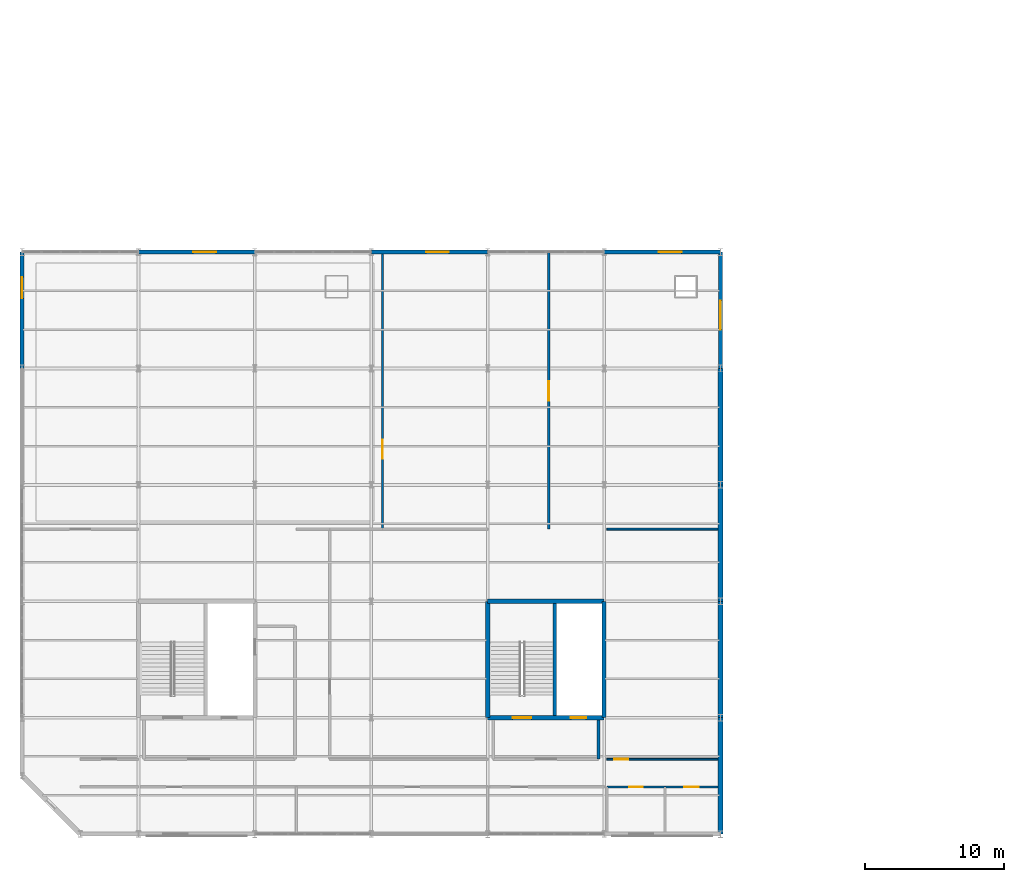
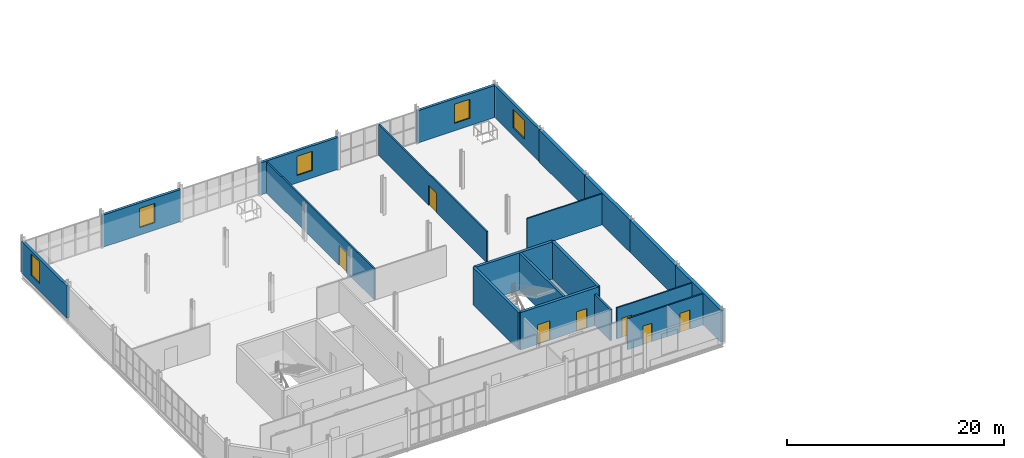
# One storey, part 49 of 65: 21 walls, 7 doors, 5 windows, 12 openings.
"""IFC4 building model written with IfcOpenShell, lengths in metres."""

import ifcopenshell
import ifcopenshell.guid

model = None  # the IFC model being written
_history = None  # IfcOwnerHistory: only IFC2X3 demands one
_inside = {}  # id of a spatial element -> (the spatial element, [elements in it])
_under = {}  # id of a project, library or spatial element -> (it, [spatial elements below it])
_declared = {}  # id of a project -> (the project, [libraries it declares])
_typed = {}  # id of a type object -> (the type object, [elements of that type])
_made_of = {}  # id of a material, layer set ... -> (it, [elements and type objects made of it])


def new_model(schema):
    """Start an empty IFC model of exactly this schema.

    Asked for "IFC4X3", IfcOpenShell would pick the latest addendum, in which some entities
    have other attributes; the version numbers below select the first issue.
    IFC2X3 requires an IfcOwnerHistory on every rooted entity: one is made here for all.
    """
    global model, _history
    if schema == "IFC4X3":
        model = ifcopenshell.file(schema_version=(4, 3, 0, 0))
    else:
        model = ifcopenshell.file(schema=schema)
    _inside.clear()
    _under.clear()
    _declared.clear()
    _typed.clear()
    _made_of.clear()
    _history = None
    if model.schema == "IFC2X3":
        org = make("IfcOrganization", Name="unknown")
        user = make(
            "IfcPersonAndOrganization",
            ThePerson=make("IfcPerson", FamilyName="unknown"),
            TheOrganization=org,
        )
        app = make(
            "IfcApplication",
            ApplicationDeveloper=org,
            Version="unknown",
            ApplicationFullName="unknown",
            ApplicationIdentifier="unknown",
        )
        _history = make(
            "IfcOwnerHistory",
            OwningUser=user,
            OwningApplication=app,
            ChangeAction="ADDED",
            CreationDate=0,
        )
    return model


def make(cls, **values):
    """One entity of the class cls with the attributes given. An attribute that is None is left unset."""
    return model.create_entity(
        cls, **{name: value for name, value in values.items() if value is not None}
    )


def rooted(cls, **values):
    """An entity with a GlobalId (a new one), such as an element, a storey or a relation."""
    return make(cls, GlobalId=ifcopenshell.guid.new(), OwnerHistory=_history, **values)


def si_unit(unit_type, name, prefix=None):
    """IfcSIUnit, for example si_unit("LENGTHUNIT", "METRE", prefix="MILLI")."""
    return make("IfcSIUnit", UnitType=unit_type, Prefix=prefix, Name=name)


def assignment(units):
    """IfcUnitAssignment: the units of a project."""
    return None if units is None else make("IfcUnitAssignment", Units=units)


def point(xyz):
    """IfcCartesianPoint."""
    return None if xyz is None else make("IfcCartesianPoint", Coordinates=xyz)


def direction(xyz):
    """IfcDirection."""
    return None if xyz is None else make("IfcDirection", DirectionRatios=xyz)


def frame(location, z_axis=None, x_axis=None):
    """IfcAxis2Placement3D, a coordinate frame: its origin and axes. An axis left out is left unset."""
    return make(
        "IfcAxis2Placement3D",
        Location=point(location),
        Axis=direction(z_axis),
        RefDirection=direction(x_axis),
    )


def frame_2d(location, x_axis=None):
    """IfcAxis2Placement2D, a coordinate frame in the plane: its origin and x axis."""
    return make(
        "IfcAxis2Placement2D", Location=point(location), RefDirection=direction(x_axis)
    )


def origin():
    """The frame at (0, 0, 0) with its axes left unset."""
    return frame((0.0, 0.0, 0.0))


def place(relative_to, where):
    """IfcLocalPlacement: puts the frame where relative to a parent placement (None: the world)."""
    return make(
        "IfcLocalPlacement", PlacementRelTo=relative_to, RelativePlacement=where
    )


def context(
    kind, dimensions, precision=None, world=None, true_north=None, identifier=None
):
    """IfcGeometricRepresentationContext, for example the 3D "Model" context."""
    return make(
        "IfcGeometricRepresentationContext",
        ContextIdentifier=identifier,
        ContextType=kind,
        CoordinateSpaceDimension=dimensions,
        Precision=precision,
        WorldCoordinateSystem=world,
        TrueNorth=true_north,
    )


def subcontext(parent, identifier, kind, view, scale=None):
    """IfcGeometricRepresentationSubContext, for example "Body" below "Model"."""
    return make(
        "IfcGeometricRepresentationSubContext",
        ContextIdentifier=identifier,
        ContextType=kind,
        ParentContext=parent,
        TargetScale=scale,
        TargetView=view,
    )


def project(units=None, contexts=None):
    """IfcProject with its units and contexts."""
    return rooted(
        "IfcProject",
        Name="project",
        RepresentationContexts=contexts,
        UnitsInContext=assignment(units),
    )


def spatial(cls, under=None, at=None, **own):
    """A site, building, storey or space (cls), placed at a placement, below another one or the project."""
    s = rooted(cls, ObjectPlacement=at, **own)
    if under is not None:
        _under.setdefault(under.id(), (under, []))[1].append(s)
    return s


def profile(cls, at=None, kind="AREA", **sizes):
    """A parametric profile (cls). Its sizes go by their IFC names, for example OverallWidth=200.0."""
    return make(cls, ProfileType=kind, Position=at, **sizes)


def rectangle(**sizes):
    """IfcRectangleProfileDef."""
    return profile("IfcRectangleProfileDef", **sizes)


def extrude(swept, where, along, depth):
    """IfcExtrudedAreaSolid: the profile swept, set in the frame where, extruded along a direction by depth."""
    return make(
        "IfcExtrudedAreaSolid",
        SweptArea=swept,
        Position=where,
        ExtrudedDirection=direction(along),
        Depth=depth,
    )


def shape(context_of_items, identifier, shape_type, items):
    """IfcShapeRepresentation: the items that make up one representation, for example the "Body"."""
    return make(
        "IfcShapeRepresentation",
        ContextOfItems=context_of_items,
        RepresentationIdentifier=identifier,
        RepresentationType=shape_type,
        Items=items,
    )


def material(Name=None, Category=None):
    """IfcMaterial."""
    return make("IfcMaterial", Name=Name, Category=Category)


def layer(
    of_material, thickness, ventilated=None, Name=None, Category=None, Priority=None
):
    """IfcMaterialLayer: one layer of a wall or slab, of a material (None: an air gap)."""
    return make(
        "IfcMaterialLayer",
        Material=of_material,
        LayerThickness=thickness,
        IsVentilated=ventilated,
        Name=Name,
        Category=Category,
        Priority=Priority,
    )


def layer_set(layers, Name=None):
    """IfcMaterialLayerSet."""
    return make("IfcMaterialLayerSet", MaterialLayers=layers, LayerSetName=Name)


def made_of(thing, what):
    """Note that an element or type object is made of a material, layer set ...; save() writes the relation."""
    if what is not None:
        _made_of.setdefault(what.id(), (what, []))[1].append(thing)
    return thing


def type_object(cls, material=None, **own):
    """A type object (cls), such as IfcWallType, which elements share."""
    return made_of(rooted(cls, **own), material)


def element(
    cls,
    number,
    at=None,
    inside=None,
    cuts=None,
    type_object=None,
    material=None,
    context=None,
    identifier="Body",
    shape_type=None,
    held_by="IfcProductDefinitionShape",
    body=None,
    shapes=None,
    **own,
):
    """One element of the class cls, such as IfcWall. Its Tag is "e" and its number.

    at: its placement. inside: the storey or other place that contains it. cuts: it is an
    opening in that element (IfcRelVoidsElement). A single representation is given by context,
    identifier, shape_type and body (its items); several are given by shapes. held_by: the class
    of the entity that holds the representations. save() writes the other relations.
    """
    e = rooted(cls, Tag="e%d" % number, ObjectPlacement=at, **own)
    if body is not None:
        shapes = [shape(context, identifier, shape_type, body)]
    if shapes is not None:
        e.Representation = make(held_by, Representations=shapes)
    if inside is not None:
        _inside.setdefault(inside.id(), (inside, []))[1].append(e)
    if cuts is not None:
        rooted(
            "IfcRelVoidsElement", RelatingBuildingElement=cuts, RelatedOpeningElement=e
        )
    if type_object is not None:
        _typed.setdefault(type_object.id(), (type_object, []))[1].append(e)
    return made_of(e, material)


def fill(opening, filler):
    """IfcRelFillsElement: the door or window that sits in an opening."""
    return rooted(
        "IfcRelFillsElement",
        RelatingOpeningElement=opening,
        RelatedBuildingElement=filler,
    )


def aggregate(whole, parts):
    """IfcRelAggregates: a whole, such as a stair, and the parts it consists of."""
    return rooted("IfcRelAggregates", RelatingObject=whole, RelatedObjects=parts)


def save(model, path):
    """Write the relations noted so far, then the file.

    IfcRelAggregates (storeys below a building ...), IfcRelContainedInSpatialStructure (elements
    in a storey), IfcRelDefinesByType, IfcRelAssociatesMaterial and IfcRelDeclares: one each for
    every whole, place, type object, material and project.
    """
    for whole, parts in _under.values():
        aggregate(whole, parts)
    for where, things in _inside.values():
        rooted(
            "IfcRelContainedInSpatialStructure",
            RelatedElements=things,
            RelatingStructure=where,
        )
    for kind, things in _typed.values():
        rooted("IfcRelDefinesByType", RelatedObjects=things, RelatingType=kind)
    for what, things in _made_of.values():
        rooted("IfcRelAssociatesMaterial", RelatedObjects=things, RelatingMaterial=what)
    for by, libraries in _declared.values():
        rooted("IfcRelDeclares", RelatingContext=by, RelatedDefinitions=libraries)
    model.write(path)


model = new_model("IFC4")

# Units and contexts
model_context = context("Model", 3, precision=1e-05, world=origin(), true_north=direction((0.0, 1.0)))
body_context = subcontext(model_context, "Body", "Model", "MODEL_VIEW")
ifc_project = project(units=[si_unit("LENGTHUNIT", "METRE"), si_unit("AREAUNIT", "SQUARE_METRE"), si_unit("VOLUMEUNIT", "CUBIC_METRE"), si_unit("PLANEANGLEUNIT", "RADIAN"), si_unit("MASSUNIT", "GRAM", prefix="KILO")], contexts=[model_context])

# Site, building, storey
site_placement = place(None, origin())
site = spatial("IfcSite", under=ifc_project, at=site_placement, CompositionType="ELEMENT")
building_placement = place(site_placement, origin())
building = spatial("IfcBuilding", under=site, at=building_placement, Name="Qalvenar Corner Mobility Hub", CompositionType="ELEMENT")
storey_placement = place(building_placement, frame((0.0, 0.0, 17.39990234375)))
storey = spatial("IfcBuildingStorey", under=building, at=storey_placement, Name="L04", CompositionType="ELEMENT", Elevation=17.39990234375)

# Wall
ifc_material_1 = material(Name="Concrete C40/50", Category="concrete")
ifc_layer_1 = layer(ifc_material_1, 0.25)
ifc_layer_set_1 = layer_set([ifc_layer_1], Name="Concrete C40/50")
wall_type_1 = type_object("IfcWallType", Name="WL-CORE250", PredefinedType="SHEAR", material=ifc_layer_set_1)
wall_1_placement = place(storey_placement, frame((38.449951171875, 8.550048828125, 0.0), z_axis=(0.0, 0.0, 1.0), x_axis=(0.0, 1.0, 0.0)))
element("IfcWall", 1, at=wall_1_placement, inside=storey, type_object=wall_type_1, Name="Core Divider Wall C2-L04", PredefinedType="SHEAR", context=body_context, shape_type="SweptSolid", body=[
    extrude(rectangle(XDim=8.099853515625, YDim=0.25, at=frame_2d((4.0498046875, 0.0))), origin(), (0.0, 0.0, 1.0), 4.2001953125),
])

# Wall, openings, doors
ifc_layer_2 = layer(ifc_material_1, 0.300048828125)
ifc_layer_set_2 = layer_set([ifc_layer_2], Name="Concrete C40/50")
wall_type_2 = type_object("IfcWallType", Name="WL-CORE300", PredefinedType="SHEAR", material=ifc_layer_set_2)
wall_2_placement = place(storey_placement, frame((33.60009765625, 8.39990234375, 0.0), z_axis=(0.0, 0.0, 1.0), x_axis=(1.0, 0.0, 0.0)))
wall_2 = element("IfcWall", 2, at=wall_2_placement, inside=storey, type_object=wall_type_2, Name="Core Shear Wall C2-L04-S", PredefinedType="SHEAR", context=body_context, shape_type="SweptSolid", body=[
    extrude(rectangle(XDim=8.39990234375, YDim=0.300048828125, at=frame_2d((4.199951171875, 0.0))), origin(), (0.0, 0.0, 1.0), 4.2001953125),
])
opening_1_placement = place(wall_2_placement, frame((1.800048828125, 0.0, 0.0)))
opening_1 = element("IfcOpeningElement", 3, at=opening_1_placement, cuts=wall_2, Name="Opening DR-231", PredefinedType="OPENING", context=body_context, shape_type="SweptSolid", body=[
    extrude(rectangle(XDim=1.35009765625, YDim=2.199951171875, at=frame_2d((0.675048828125, 1.10009765625))), frame((0.0, 0.16015625, 0.0), z_axis=(0.0, -1.0, 0.0), x_axis=(1.0, 0.0, 0.0)), (0.0, 0.0, 1.0), 0.320068359375),
])
opening_2_placement = place(wall_2_placement, frame((6.0, 0.0, 0.0)))
opening_2 = element("IfcOpeningElement", 4, at=opening_2_placement, cuts=wall_2, Name="Opening DR-232", PredefinedType="OPENING", context=body_context, shape_type="SweptSolid", body=[
    extrude(rectangle(XDim=1.10009765625, YDim=2.199951171875, at=frame_2d((0.550048828125, 1.10009765625))), frame((0.0, 0.16015625, 0.0), z_axis=(0.0, -1.0, 0.0), x_axis=(1.0, 0.0, 0.0)), (0.0, 0.0, 1.0), 0.320068359375),
])
ifc_material_2 = material(Name="Stainless Steel Lift Landing Door", Category="steel")
door_type_1 = type_object("IfcDoorType", Name="DR-LIFT-110", OperationType="SLIDING_TO_LEFT", PredefinedType="DOOR", material=ifc_material_2)
door_1_placement = place(opening_2_placement, origin())
door_1 = element("IfcDoor", 5, at=door_1_placement, inside=storey, type_object=door_type_1, Name="DR-232 Lift Landing Door LF2-L04", OperationType="SLIDING_TO_LEFT", OverallHeight=2.199951171875, OverallWidth=1.10009765625, PredefinedType="DOOR", context=body_context, shape_type="SweptSolid", body=[
    extrude(rectangle(XDim=1.10009765625, YDim=2.199951171875, at=frame_2d((0.550048828125, 1.10009765625))), frame((0.0, 0.02490234375, 0.0), z_axis=(0.0, -1.0, 0.0), x_axis=(1.0, 0.0, 0.0)), (0.0, 0.0, 1.0), 0.050048828125),
])
fill(opening_2, door_1)
ifc_material_3 = material(Name="Fire-Rated Steel Stair Door FD90", Category="steel")
door_type_2 = type_object("IfcDoorType", Name="DR-STAIR-135", OperationType="NOTDEFINED", PredefinedType="DOOR", material=ifc_material_3)
door_2_placement = place(opening_1_placement, origin())
door_2 = element("IfcDoor", 6, at=door_2_placement, inside=storey, type_object=door_type_2, Name="DR-231 Stair Fire Door ST2-L04", OperationType="SINGLE_SWING_RIGHT", OverallHeight=2.199951171875, OverallWidth=1.35009765625, PredefinedType="DOOR", context=body_context, shape_type="SweptSolid", body=[
    extrude(rectangle(XDim=1.35009765625, YDim=2.199951171875, at=frame_2d((0.675048828125, 1.10009765625))), frame((0.0, 0.02490234375, 0.0), z_axis=(0.0, -1.0, 0.0), x_axis=(1.0, 0.0, 0.0)), (0.0, 0.0, 1.0), 0.050048828125),
])
fill(opening_1, door_2)

# Walls
wall_3_placement = place(storey_placement, frame((42.0, 8.39990234375, 0.0), z_axis=(0.0, 0.0, 1.0), x_axis=(0.0, 1.0, 0.0)))
element("IfcWall", 7, at=wall_3_placement, inside=storey, type_object=wall_type_2, Name="Core Shear Wall C2-L04-E", PredefinedType="SHEAR", context=body_context, shape_type="SweptSolid", body=[
    extrude(rectangle(XDim=8.400146484375, YDim=0.300048828125, at=frame_2d((4.2001953125, 0.0))), origin(), (0.0, 0.0, 1.0), 4.2001953125),
])
wall_4_placement = place(storey_placement, frame((42.0, 16.800048828125, 0.0), z_axis=(0.0, 0.0, 1.0), x_axis=(-1.0, 0.0, 0.0)))
element("IfcWall", 8, at=wall_4_placement, inside=storey, type_object=wall_type_2, Name="Core Shear Wall C2-L04-N", PredefinedType="SHEAR", context=body_context, shape_type="SweptSolid", body=[
    extrude(rectangle(XDim=8.39990234375, YDim=0.300048828125, at=frame_2d((4.199951171875, 0.0))), origin(), (0.0, 0.0, 1.0), 4.2001953125),
])
wall_5_placement = place(storey_placement, frame((33.60009765625, 16.800048828125, 0.0), z_axis=(0.0, 0.0, 1.0), x_axis=(0.0, -1.0, 0.0)))
element("IfcWall", 9, at=wall_5_placement, inside=storey, type_object=wall_type_2, Name="Core Shear Wall C2-L04-W", PredefinedType="SHEAR", context=body_context, shape_type="SweptSolid", body=[
    extrude(rectangle(XDim=8.400146484375, YDim=0.300048828125, at=frame_2d((4.2001953125, 0.0))), origin(), (0.0, 0.0, 1.0), 4.2001953125),
])

# Wall, opening, window
ifc_material_4 = material(Name="Kashikari Glazed Faience Masonry", Category="masonry")
ifc_layer_3 = layer(ifc_material_4, 0.280029296875)
ifc_layer_set_3 = layer_set([ifc_layer_3], Name="Kashikari Glazed Faience Masonry")
wall_type_3 = type_object("IfcWallType", Name="WL-EXT-FAI280", PredefinedType="STANDARD", material=ifc_layer_set_3)
wall_6_placement = place(storey_placement, frame((0.0, 42.0, 0.0), z_axis=(0.0, 0.0, 1.0), x_axis=(0.0, -1.0, 0.0)))
wall_6 = element("IfcWall", 10, at=wall_6_placement, inside=storey, type_object=wall_type_3, Name="Exterior Facade Wall EW-V3-L04-047", PredefinedType="STANDARD", context=body_context, shape_type="SweptSolid", body=[
    extrude(rectangle(XDim=8.39990234375, YDim=0.280029296875, at=frame_2d((4.199951171875, 0.0))), origin(), (0.0, 0.0, 1.0), 3.6201171875),
])
opening_3_placement = place(wall_6_placement, frame((1.800048828125, 0.0, 0.85009765625)))
opening_3 = element("IfcOpeningElement", 11, at=opening_3_placement, cuts=wall_6, Name="Opening W-26", PredefinedType="OPENING", context=body_context, shape_type="SweptSolid", body=[
    extrude(rectangle(XDim=1.550048828125, YDim=2.449951171875, at=frame_2d((0.77490234375, 1.22509765625))), frame((0.0, 0.14990234375, 0.0), z_axis=(0.0, -1.0, 0.0), x_axis=(1.0, 0.0, 0.0)), (0.0, 0.0, 1.0), 0.300048828125),
])
ifc_material_5 = material(Name="Solar-Control Double-Glazed Bronze Window", Category="glass")
window_type_1 = type_object("IfcWindowType", Name="WN-CIV-155X245", PartitioningType="DOUBLE_PANEL_VERTICAL", PredefinedType="WINDOW", material=ifc_material_5)
window_1_placement = place(opening_3_placement, origin())
window_1 = element("IfcWindow", 12, at=window_1_placement, inside=storey, type_object=window_type_1, Name="Facade Window EW-V3-L04-047-W1", OverallHeight=2.449951171875, OverallWidth=1.550048828125, PartitioningType="SINGLE_PANEL", PredefinedType="WINDOW", context=body_context, shape_type="SweptSolid", body=[
    extrude(rectangle(XDim=1.550048828125, YDim=2.449951171875, at=frame_2d((0.77490234375, 1.22509765625))), frame((0.0, 0.030029296875, 0.0), z_axis=(0.0, -1.0, 0.0), x_axis=(1.0, 0.0, 0.0)), (0.0, 0.0, 1.0), 0.06005859375),
])
fill(opening_3, window_1)

wall_7_placement = place(storey_placement, frame((16.800048828125, 42.0, 0.0), z_axis=(0.0, 0.0, 1.0), x_axis=(-1.0, 0.0, 0.0)))
wall_7 = element("IfcWall", 13, at=wall_7_placement, inside=storey, type_object=wall_type_3, Name="Exterior Facade Wall EW-V3-L04-048", PredefinedType="STANDARD", context=body_context, shape_type="SweptSolid", body=[
    extrude(rectangle(XDim=8.400146484375, YDim=0.280029296875, at=frame_2d((4.2001953125, 0.0))), origin(), (0.0, 0.0, 1.0), 3.6201171875),
])
opening_4_placement = place(wall_7_placement, frame((2.800048828125, 0.0, 0.85009765625)))
opening_4 = element("IfcOpeningElement", 14, at=opening_4_placement, cuts=wall_7, Name="Opening W-32", PredefinedType="OPENING", context=body_context, shape_type="SweptSolid", body=[
    extrude(rectangle(XDim=1.64990234375, YDim=2.14990234375, at=frame_2d((0.824951171875, 1.074951171875))), frame((0.0, 0.14990234375, 0.0), z_axis=(0.0, -1.0, 0.0), x_axis=(1.0, 0.0, 0.0)), (0.0, 0.0, 1.0), 0.300048828125),
])
window_type_2 = type_object("IfcWindowType", Name="WN-SPT-165X215", PartitioningType="DOUBLE_PANEL_VERTICAL", PredefinedType="WINDOW", material=ifc_material_5)
window_2_placement = place(opening_4_placement, origin())
window_2 = element("IfcWindow", 15, at=window_2_placement, inside=storey, type_object=window_type_2, Name="Facade Window EW-V3-L04-048-W1", OverallHeight=2.14990234375, OverallWidth=1.64990234375, PartitioningType="SINGLE_PANEL", PredefinedType="WINDOW", context=body_context, shape_type="SweptSolid", body=[
    extrude(rectangle(XDim=1.64990234375, YDim=2.14990234375, at=frame_2d((0.824951171875, 1.074951171875))), frame((0.0, 0.030029296875, 0.0), z_axis=(0.0, -1.0, 0.0), x_axis=(1.0, 0.0, 0.0)), (0.0, 0.0, 1.0), 0.06005859375),
])
fill(opening_4, window_2)

wall_8_placement = place(storey_placement, frame((33.60009765625, 42.0, 0.0), z_axis=(0.0, 0.0, 1.0), x_axis=(-1.0, 0.0, 0.0)))
wall_8 = element("IfcWall", 16, at=wall_8_placement, inside=storey, type_object=wall_type_3, Name="Exterior Facade Wall EW-V3-L04-049", PredefinedType="STANDARD", context=body_context, shape_type="SweptSolid", body=[
    extrude(rectangle(XDim=8.400146484375, YDim=0.280029296875, at=frame_2d((4.2001953125, 0.0))), origin(), (0.0, 0.0, 1.0), 3.6201171875),
])
opening_5_placement = place(wall_8_placement, frame((2.800048828125, 0.0, 0.85009765625)))
opening_5 = element("IfcOpeningElement", 17, at=opening_5_placement, cuts=wall_8, Name="Opening W-32", PredefinedType="OPENING", context=body_context, shape_type="SweptSolid", body=[
    extrude(rectangle(XDim=1.64990234375, YDim=2.14990234375, at=frame_2d((0.824951171875, 1.074951171875))), frame((0.0, 0.14990234375, 0.0), z_axis=(0.0, -1.0, 0.0), x_axis=(1.0, 0.0, 0.0)), (0.0, 0.0, 1.0), 0.300048828125),
])
window_3_placement = place(opening_5_placement, origin())
window_3 = element("IfcWindow", 18, at=window_3_placement, inside=storey, type_object=window_type_2, Name="Facade Window EW-V3-L04-049-W1", OverallHeight=2.14990234375, OverallWidth=1.64990234375, PartitioningType="SINGLE_PANEL", PredefinedType="WINDOW", context=body_context, shape_type="SweptSolid", body=[
    extrude(rectangle(XDim=1.64990234375, YDim=2.14990234375, at=frame_2d((0.824951171875, 1.074951171875))), frame((0.0, 0.030029296875, 0.0), z_axis=(0.0, -1.0, 0.0), x_axis=(1.0, 0.0, 0.0)), (0.0, 0.0, 1.0), 0.06005859375),
])
fill(opening_5, window_3)

wall_9_placement = place(storey_placement, frame((50.39990234375, 42.0, 0.0), z_axis=(0.0, 0.0, 1.0), x_axis=(-1.0, 0.0, 0.0)))
wall_9 = element("IfcWall", 19, at=wall_9_placement, inside=storey, type_object=wall_type_3, Name="Exterior Facade Wall EW-V3-L04-050", PredefinedType="STANDARD", context=body_context, shape_type="SweptSolid", body=[
    extrude(rectangle(XDim=8.39990234375, YDim=0.280029296875, at=frame_2d((4.199951171875, 0.0))), origin(), (0.0, 0.0, 1.0), 3.6201171875),
])
opening_6_placement = place(wall_9_placement, frame((2.800048828125, 0.0, 0.85009765625)))
opening_6 = element("IfcOpeningElement", 20, at=opening_6_placement, cuts=wall_9, Name="Opening W-32", PredefinedType="OPENING", context=body_context, shape_type="SweptSolid", body=[
    extrude(rectangle(XDim=1.64990234375, YDim=2.14990234375, at=frame_2d((0.824951171875, 1.074951171875))), frame((0.0, 0.14990234375, 0.0), z_axis=(0.0, -1.0, 0.0), x_axis=(1.0, 0.0, 0.0)), (0.0, 0.0, 1.0), 0.300048828125),
])
window_4_placement = place(opening_6_placement, origin())
window_4 = element("IfcWindow", 21, at=window_4_placement, inside=storey, type_object=window_type_2, Name="Facade Window EW-V3-L04-050-W1", OverallHeight=2.14990234375, OverallWidth=1.64990234375, PartitioningType="SINGLE_PANEL", PredefinedType="WINDOW", context=body_context, shape_type="SweptSolid", body=[
    extrude(rectangle(XDim=1.64990234375, YDim=2.14990234375, at=frame_2d((0.824951171875, 1.074951171875))), frame((0.0, 0.030029296875, 0.0), z_axis=(0.0, -1.0, 0.0), x_axis=(1.0, 0.0, 0.0)), (0.0, 0.0, 1.0), 0.06005859375),
])
fill(opening_6, window_4)

wall_10_placement = place(storey_placement, frame((50.39990234375, 33.60009765625, 0.0), z_axis=(0.0, 0.0, 1.0), x_axis=(0.0, 1.0, 0.0)))
wall_10 = element("IfcWall", 22, at=wall_10_placement, inside=storey, type_object=wall_type_3, Name="Exterior Facade Wall EW-V3-L04-055", PredefinedType="STANDARD", context=body_context, shape_type="SweptSolid", body=[
    extrude(rectangle(XDim=8.39990234375, YDim=0.280029296875, at=frame_2d((4.199951171875, 0.0))), origin(), (0.0, 0.0, 1.0), 3.6201171875),
])
opening_7_placement = place(wall_10_placement, frame((2.800048828125, 0.0, 0.89990234375)))
opening_7 = element("IfcOpeningElement", 23, at=opening_7_placement, cuts=wall_10, Name="Opening W-12", PredefinedType="OPENING", context=body_context, shape_type="SweptSolid", body=[
    extrude(rectangle(XDim=2.10009765625, YDim=2.10009765625, at=frame_2d((1.050048828125, 1.050048828125))), frame((0.0, 0.14990234375, 0.0), z_axis=(0.0, -1.0, 0.0), x_axis=(1.0, 0.0, 0.0)), (0.0, 0.0, 1.0), 0.300048828125),
])
window_type_3 = type_object("IfcWindowType", Name="WN-CON-210X210", PartitioningType="DOUBLE_PANEL_VERTICAL", PredefinedType="WINDOW", material=ifc_material_5)
window_5_placement = place(opening_7_placement, origin())
window_5 = element("IfcWindow", 24, at=window_5_placement, inside=storey, type_object=window_type_3, Name="Facade Window EW-V3-L04-055-W1", OverallHeight=2.10009765625, OverallWidth=2.10009765625, PartitioningType="SINGLE_PANEL", PredefinedType="WINDOW", context=body_context, shape_type="SweptSolid", body=[
    extrude(rectangle(XDim=2.10009765625, YDim=2.10009765625, at=frame_2d((1.050048828125, 1.050048828125))), frame((0.0, 0.030029296875, 0.0), z_axis=(0.0, -1.0, 0.0), x_axis=(1.0, 0.0, 0.0)), (0.0, 0.0, 1.0), 0.06005859375),
])
fill(opening_7, window_5)

# Walls
ifc_material_6 = material(Name="Red Sandstone Ashlar Masonry", Category="masonry")
ifc_layer_4 = layer(ifc_material_6, 0.360107421875)
ifc_layer_set_4 = layer_set([ifc_layer_4], Name="Red Sandstone Ashlar Masonry")
wall_type_4 = type_object("IfcWallType", Name="WL-EXT-SAND360", PredefinedType="STANDARD", material=ifc_layer_set_4)
wall_11_placement = place(storey_placement, frame((50.39990234375, 0.0, 0.0), z_axis=(0.0, 0.0, 1.0), x_axis=(0.0, 1.0, 0.0)))
element("IfcWall", 25, at=wall_11_placement, inside=storey, type_object=wall_type_4, Name="Exterior Facade Wall EW-V3-L04-051", PredefinedType="STANDARD", context=body_context, shape_type="SweptSolid", body=[
    extrude(rectangle(XDim=8.39990234375, YDim=0.360107421875, at=frame_2d((4.199951171875, 0.0))), origin(), (0.0, 0.0, 1.0), 3.6201171875),
])
wall_12_placement = place(storey_placement, frame((50.39990234375, 8.39990234375, 0.0), z_axis=(0.0, 0.0, 1.0), x_axis=(0.0, 1.0, 0.0)))
element("IfcWall", 26, at=wall_12_placement, inside=storey, type_object=wall_type_4, Name="Exterior Facade Wall EW-V3-L04-052", PredefinedType="STANDARD", context=body_context, shape_type="SweptSolid", body=[
    extrude(rectangle(XDim=8.400146484375, YDim=0.360107421875, at=frame_2d((4.2001953125, 0.0))), origin(), (0.0, 0.0, 1.0), 3.6201171875),
])
wall_13_placement = place(storey_placement, frame((50.39990234375, 16.800048828125, 0.0), z_axis=(0.0, 0.0, 1.0), x_axis=(0.0, 1.0, 0.0)))
element("IfcWall", 27, at=wall_13_placement, inside=storey, type_object=wall_type_4, Name="Exterior Facade Wall EW-V3-L04-053", PredefinedType="STANDARD", context=body_context, shape_type="SweptSolid", body=[
    extrude(rectangle(XDim=8.39990234375, YDim=0.360107421875, at=frame_2d((4.199951171875, 0.0))), origin(), (0.0, 0.0, 1.0), 3.6201171875),
])
wall_14_placement = place(storey_placement, frame((50.39990234375, 25.199951171875, 0.0), z_axis=(0.0, 0.0, 1.0), x_axis=(0.0, 1.0, 0.0)))
element("IfcWall", 28, at=wall_14_placement, inside=storey, type_object=wall_type_4, Name="Exterior Facade Wall EW-V3-L04-054", PredefinedType="STANDARD", context=body_context, shape_type="SweptSolid", body=[
    extrude(rectangle(XDim=8.400146484375, YDim=0.360107421875, at=frame_2d((4.2001953125, 0.0))), origin(), (0.0, 0.0, 1.0), 3.6201171875),
])

# Wall, opening, door
ifc_material_7 = material(Name="Acoustic Gypsum Stud Partition", Category="masonry")
ifc_layer_5 = layer(ifc_material_7, 0.139892578125)
ifc_layer_set_5 = layer_set([ifc_layer_5], Name="Acoustic Gypsum Stud Partition")
wall_type_5 = type_object("IfcWallType", Name="WL-INT140", PredefinedType="PARTITIONING", material=ifc_layer_set_5)
wall_15_placement = place(storey_placement, frame((42.199951171875, 5.39990234375, 0.0), z_axis=(0.0, 0.0, 1.0), x_axis=(1.0, 0.0, 0.0)))
wall_15 = element("IfcWall", 29, at=wall_15_placement, inside=storey, type_object=wall_type_5, Name="Interior Partition PRT-L04-009", PredefinedType="PARTITIONING", context=body_context, shape_type="SweptSolid", body=[
    extrude(rectangle(XDim=8.01513671875, YDim=0.139892578125, at=frame_2d((4.007568359375, 0.0))), origin(), (0.0, 0.0, 1.0), 3.5),
])
opening_8_placement = place(wall_15_placement, frame((0.550048828125, 0.0, 0.0)))
opening_8 = element("IfcOpeningElement", 30, at=opening_8_placement, cuts=wall_15, Name="Opening DR-247", PredefinedType="OPENING", context=body_context, shape_type="SweptSolid", body=[
    extrude(rectangle(XDim=1.0, YDim=2.14990234375, at=frame_2d((0.5, 1.074951171875))), frame((0.0, 0.080078125, 0.0), z_axis=(0.0, -1.0, 0.0), x_axis=(1.0, 0.0, 0.0)), (0.0, 0.0, 1.0), 0.159912109375),
])
ifc_material_8 = material(Name="Hardwood Teak Office Door FD30", Category="wood")
door_type_3 = type_object("IfcDoorType", Name="DR-INT-OFF100", OperationType="NOTDEFINED", PredefinedType="DOOR", material=ifc_material_8)
door_3_placement = place(opening_8_placement, origin())
door_3 = element("IfcDoor", 31, at=door_3_placement, inside=storey, type_object=door_type_3, Name="DR-247 Civic Mobility Breakout Room Door", OperationType="SINGLE_SWING_RIGHT", OverallHeight=2.14990234375, OverallWidth=1.0, PredefinedType="DOOR", context=body_context, shape_type="SweptSolid", body=[
    extrude(rectangle(XDim=1.0, YDim=2.14990234375, at=frame_2d((0.5, 1.074951171875))), frame((0.0, 0.02490234375, 0.0), z_axis=(0.0, -1.0, 0.0), x_axis=(1.0, 0.0, 0.0)), (0.0, 0.0, 1.0), 0.050048828125),
])
fill(opening_8, door_3)

# Wall
wall_16_placement = place(storey_placement, frame((42.199951171875, 22.0, 0.0), z_axis=(0.0, 0.0, 1.0), x_axis=(1.0, 0.0, 0.0)))
element("IfcWall", 32, at=wall_16_placement, inside=storey, type_object=wall_type_5, Name="Interior Partition PRT-L04-014", PredefinedType="PARTITIONING", context=body_context, shape_type="SweptSolid", body=[
    extrude(rectangle(XDim=8.01513671875, YDim=0.139892578125, at=frame_2d((4.007568359375, 0.0))), origin(), (0.0, 0.0, 1.0), 3.5),
])

# Wall, opening, door
ifc_material_9 = material(Name="Plastered Clay Brick Partition", Category="masonry")
ifc_layer_6 = layer(ifc_material_9, 0.159912109375)
ifc_layer_set_6 = layer_set([ifc_layer_6], Name="Plastered Clay Brick Partition")
wall_type_6 = type_object("IfcWallType", Name="WL-INT160", PredefinedType="PARTITIONING", material=ifc_layer_set_6)
wall_17_placement = place(storey_placement, frame((26.0, 22.0, 0.0), z_axis=(0.0, 0.0, 1.0), x_axis=(0.0, 1.0, 0.0)))
wall_17 = element("IfcWall", 33, at=wall_17_placement, inside=storey, type_object=wall_type_6, Name="Interior Partition PRT-L04-019", PredefinedType="PARTITIONING", context=body_context, shape_type="SweptSolid", body=[
    extrude(rectangle(XDim=19.85498046875, YDim=0.159912109375, at=frame_2d((9.927490234375, 0.0))), origin(), (0.0, 0.0, 1.0), 3.5),
])
opening_9_placement = place(wall_17_placement, frame((5.070068359375, 0.0, 0.0)))
opening_9 = element("IfcOpeningElement", 34, at=opening_9_placement, cuts=wall_17, Name="Opening DR-250", PredefinedType="OPENING", context=body_context, shape_type="SweptSolid", body=[
    extrude(rectangle(XDim=1.39990234375, YDim=2.25, at=frame_2d((0.699951171875, 1.125))), frame((0.0, 0.08984375, 0.0), z_axis=(0.0, -1.0, 0.0), x_axis=(1.0, 0.0, 0.0)), (0.0, 0.0, 1.0), 0.179931640625),
])
ifc_material_10 = material(Name="Hardwood Teak Acoustic Double Door", Category="wood")
door_type_4 = type_object("IfcDoorType", Name="DR-INT-PUB140", OperationType="DOUBLE_DOOR_SINGLE_SWING", PredefinedType="DOOR", material=ifc_material_10)
door_4_placement = place(opening_9_placement, origin())
door_4 = element("IfcDoor", 35, at=door_4_placement, inside=storey, type_object=door_type_4, Name="DR-250 Urban Mobility Workshop Room A Door", OperationType="DOUBLE_DOOR_SINGLE_SWING", OverallHeight=2.25, OverallWidth=1.39990234375, PredefinedType="DOOR", context=body_context, shape_type="SweptSolid", body=[
    extrude(rectangle(XDim=1.39990234375, YDim=2.25, at=frame_2d((0.699951171875, 1.125))), frame((0.0, 0.02490234375, 0.0), z_axis=(0.0, -1.0, 0.0), x_axis=(1.0, 0.0, 0.0)), (0.0, 0.0, 1.0), 0.050048828125),
])
fill(opening_9, door_4)

wall_18_placement = place(storey_placement, frame((38.0, 22.0, 0.0), z_axis=(0.0, 0.0, 1.0), x_axis=(0.0, 1.0, 0.0)))
wall_18 = element("IfcWall", 36, at=wall_18_placement, inside=storey, type_object=wall_type_6, Name="Interior Partition PRT-L04-021", PredefinedType="PARTITIONING", context=body_context, shape_type="SweptSolid", body=[
    extrude(rectangle(XDim=19.955078125, YDim=0.159912109375, at=frame_2d((9.9775390625, 0.0))), origin(), (0.0, 0.0, 1.0), 3.5),
])
opening_10_placement = place(wall_18_placement, frame((9.277099609375, 0.0, 0.0)))
opening_10 = element("IfcOpeningElement", 37, at=opening_10_placement, cuts=wall_18, Name="Opening DR-251", PredefinedType="OPENING", context=body_context, shape_type="SweptSolid", body=[
    extrude(rectangle(XDim=1.39990234375, YDim=2.25, at=frame_2d((0.699951171875, 1.125))), frame((0.0, 0.08984375, 0.0), z_axis=(0.0, -1.0, 0.0), x_axis=(1.0, 0.0, 0.0)), (0.0, 0.0, 1.0), 0.179931640625),
])
door_5_placement = place(opening_10_placement, origin())
door_5 = element("IfcDoor", 38, at=door_5_placement, inside=storey, type_object=door_type_4, Name="DR-251 Urban Mobility Workshop Room B Door", OperationType="DOUBLE_DOOR_SINGLE_SWING", OverallHeight=2.25, OverallWidth=1.39990234375, PredefinedType="DOOR", context=body_context, shape_type="SweptSolid", body=[
    extrude(rectangle(XDim=1.39990234375, YDim=2.25, at=frame_2d((0.699951171875, 1.125))), frame((0.0, 0.02490234375, 0.0), z_axis=(0.0, -1.0, 0.0), x_axis=(1.0, 0.0, 0.0)), (0.0, 0.0, 1.0), 0.050048828125),
])
fill(opening_10, door_5)

# Wall
ifc_material_11 = material(Name="Concrete Blockwork Masonry", Category="masonry")
ifc_layer_7 = layer(ifc_material_11, 0.199951171875)
ifc_layer_set_7 = layer_set([ifc_layer_7], Name="Concrete Blockwork Masonry")
wall_type_7 = type_object("IfcWallType", Name="WL-LOBBY200", PredefinedType="PARTITIONING", material=ifc_layer_set_7)
wall_19_placement = place(storey_placement, frame((41.60009765625, 5.39990234375, 0.0), z_axis=(0.0, 0.0, 1.0), x_axis=(0.0, 1.0, 0.0)))
element("IfcWall", 39, at=wall_19_placement, inside=storey, type_object=wall_type_7, Name="Interior Partition WL-LOB-C2-L04-E", PredefinedType="PARTITIONING", context=body_context, shape_type="SweptSolid", body=[
    extrude(rectangle(XDim=2.85009765625, YDim=0.199951171875, at=frame_2d((1.425048828125, 0.0))), origin(), (0.0, 0.0, 1.0), 3.52001953125),
])

# Wall, opening, door
ifc_material_12 = material(Name="Ceramic-Tiled Moisture-Resistant Partition", Category="masonry")
ifc_layer_8 = layer(ifc_material_12, 0.14990234375)
ifc_layer_set_8 = layer_set([ifc_layer_8], Name="Ceramic-Tiled Moisture-Resistant Partition")
wall_type_8 = type_object("IfcWallType", Name="WL-WET150", PredefinedType="PARTITIONING", material=ifc_layer_set_8)
wall_20_placement = place(storey_placement, frame((42.199951171875, 3.39990234375, 0.0), z_axis=(0.0, 0.0, 1.0), x_axis=(1.0, 0.0, 0.0)))
wall_20 = element("IfcWall", 40, at=wall_20_placement, inside=storey, type_object=wall_type_8, Name="Interior Partition PRT-L04-005", PredefinedType="PARTITIONING", context=body_context, shape_type="SweptSolid", body=[
    extrude(rectangle(XDim=4.199951171875, YDim=0.14990234375, at=frame_2d((2.10009765625, 0.0))), origin(), (0.0, 0.0, 1.0), 3.5),
])
opening_11_placement = place(wall_20_placement, frame((1.625, 0.0, 0.0)))
opening_11 = element("IfcOpeningElement", 41, at=opening_11_placement, cuts=wall_20, Name="Opening DR-244", PredefinedType="OPENING", context=body_context, shape_type="SweptSolid", body=[
    extrude(rectangle(XDim=0.949951171875, YDim=2.10009765625, at=frame_2d((0.47509765625, 1.050048828125))), frame((0.0, 0.0849609375, 0.0), z_axis=(0.0, -1.0, 0.0), x_axis=(1.0, 0.0, 0.0)), (0.0, 0.0, 1.0), 0.169921875),
])
ifc_material_13 = material(Name="Moisture-Resistant Laminate WC Door", Category="wood")
door_type_5 = type_object("IfcDoorType", Name="DR-INT-WC095", OperationType="NOTDEFINED", PredefinedType="DOOR", material=ifc_material_13)
door_6_placement = place(opening_11_placement, origin())
door_6 = element("IfcDoor", 42, at=door_6_placement, inside=storey, type_object=door_type_5, Name="DR-244 Fourth Floor Public Toilets Door", OperationType="SINGLE_SWING_RIGHT", OverallHeight=2.10009765625, OverallWidth=0.949951171875, PredefinedType="DOOR", context=body_context, shape_type="SweptSolid", body=[
    extrude(rectangle(XDim=0.949951171875, YDim=2.10009765625, at=frame_2d((0.47509765625, 1.050048828125))), frame((0.0, 0.02490234375, 0.0), z_axis=(0.0, -1.0, 0.0), x_axis=(1.0, 0.0, 0.0)), (0.0, 0.0, 1.0), 0.050048828125),
])
fill(opening_11, door_6)

wall_21_placement = place(storey_placement, frame((46.39990234375, 3.39990234375, 0.0), z_axis=(0.0, 0.0, 1.0), x_axis=(1.0, 0.0, 0.0)))
wall_21 = element("IfcWall", 43, at=wall_21_placement, inside=storey, type_object=wall_type_8, Name="Interior Partition PRT-L04-006", PredefinedType="PARTITIONING", context=body_context, shape_type="SweptSolid", body=[
    extrude(rectangle(XDim=3.815185546875, YDim=0.14990234375, at=frame_2d((1.90771484375, 0.0))), origin(), (0.0, 0.0, 1.0), 3.5),
])
opening_12_placement = place(wall_21_placement, frame((1.383056640625, 0.0, 0.0)))
opening_12 = element("IfcOpeningElement", 44, at=opening_12_placement, cuts=wall_21, Name="Opening DR-245", PredefinedType="OPENING", context=body_context, shape_type="SweptSolid", body=[
    extrude(rectangle(XDim=1.050048828125, YDim=2.14990234375, at=frame_2d((0.52490234375, 1.074951171875))), frame((0.0, 0.0849609375, 0.0), z_axis=(0.0, -1.0, 0.0), x_axis=(1.0, 0.0, 0.0)), (0.0, 0.0, 1.0), 0.169921875),
])
ifc_material_14 = material(Name="Accessible Wheelchair WC Door", Category="wood")
door_type_6 = type_object("IfcDoorType", Name="DR-INT-AWC105", OperationType="NOTDEFINED", PredefinedType="DOOR", material=ifc_material_14)
door_7_placement = place(opening_12_placement, origin())
door_7 = element("IfcDoor", 45, at=door_7_placement, inside=storey, type_object=door_type_6, Name="DR-245 Fourth Floor Accessible WC Door", OperationType="SINGLE_SWING_LEFT", OverallHeight=2.14990234375, OverallWidth=1.050048828125, PredefinedType="DOOR", context=body_context, shape_type="SweptSolid", body=[
    extrude(rectangle(XDim=1.050048828125, YDim=2.14990234375, at=frame_2d((0.52490234375, 1.074951171875))), frame((0.0, 0.02490234375, 0.0), z_axis=(0.0, -1.0, 0.0), x_axis=(1.0, 0.0, 0.0)), (0.0, 0.0, 1.0), 0.050048828125),
])
fill(opening_12, door_7)

save(model, "model.ifc")
